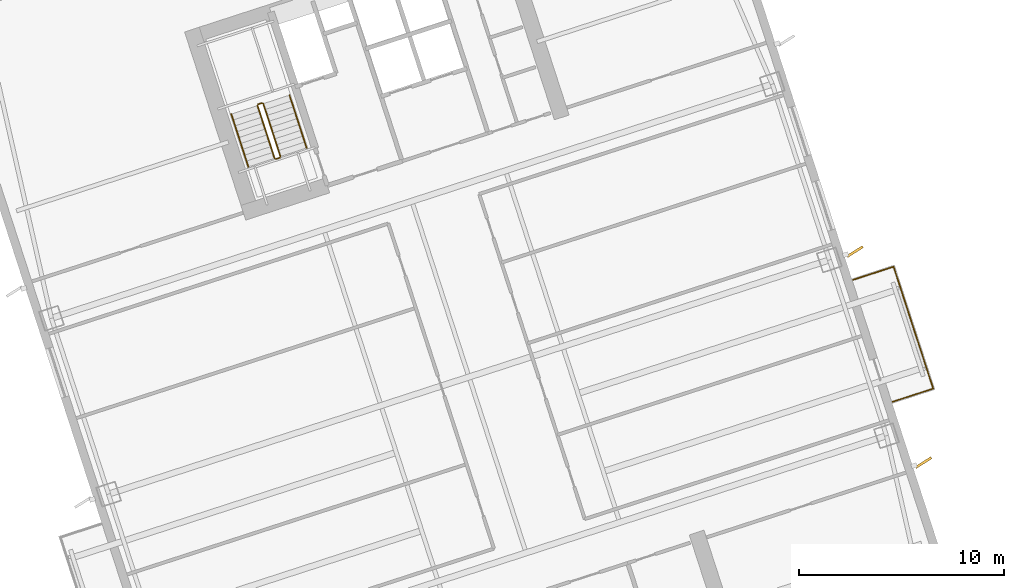
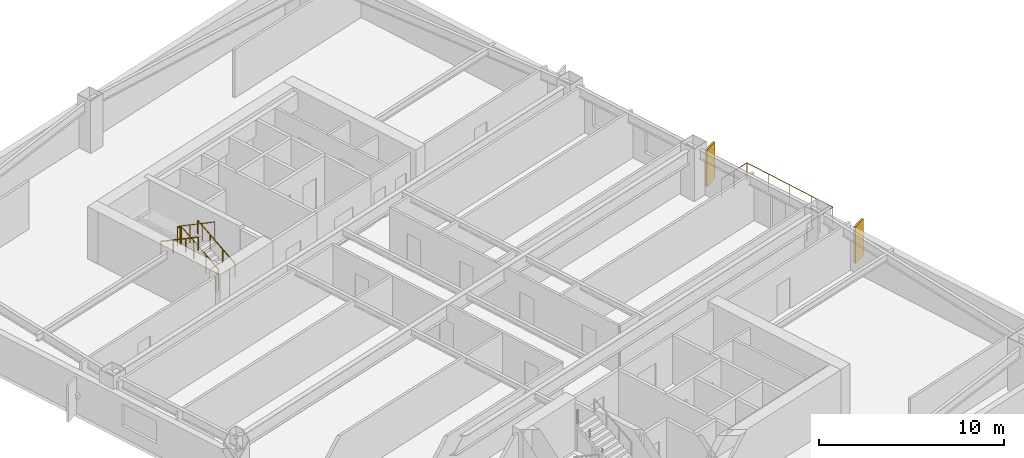
# One storey, part 17 of 18: 7 railings, 2 shading devices.
"""IFC4 building model written with IfcOpenShell, lengths in metres."""

from ifc_helpers import new_model, si_unit, direction, frame, origin, origin_2d, place, context, subcontext, project, spatial, rectangle, circle, extrude, material, layer, layer_set, type_object, element, save


model = new_model("IFC4")

# Units and contexts
model_context = context("Model", 3, precision=1e-05, world=origin(), true_north=direction((0.0, 1.0)))
body_context = subcontext(model_context, "Body", "Model", "MODEL_VIEW")
ifc_project = project(units=[si_unit("LENGTHUNIT", "METRE"), si_unit("AREAUNIT", "SQUARE_METRE"), si_unit("VOLUMEUNIT", "CUBIC_METRE"), si_unit("PLANEANGLEUNIT", "RADIAN"), si_unit("MASSUNIT", "GRAM", prefix="KILO")], contexts=[model_context])

# Site, building, storey
site_placement = place(None, origin())
site = spatial("IfcSite", under=ifc_project, at=site_placement, CompositionType="ELEMENT")
building_placement = place(site_placement, origin())
building = spatial("IfcBuilding", under=site, at=building_placement, Name="Qiaolan Cultural Towers", CompositionType="ELEMENT")
storey_placement = place(building_placement, frame((0.0, 0.0, 67.85009765625)))
storey = spatial("IfcBuildingStorey", under=building, at=storey_placement, Name="L16", CompositionType="ELEMENT", Elevation=67.85009765625)

# Railings
ifc_material_1 = material(Name="Laminated SentryGlas & Stainless Steel S31608 Balustrade", Category="steel")
railing_type_1 = type_object("IfcRailingType", Name="GRD-TERR-1200", PredefinedType="BALUSTRADE", material=ifc_material_1)
railing_1_placement = place(storey_placement, frame((110.631591796875, 32.796630859375, 0.0)))
element("IfcRailing", 1, at=railing_1_placement, inside=storey, type_object=railing_type_1, Name="L16 T2 Tree Balcony Guardrail E", PredefinedType="BALUSTRADE", context=body_context, shape_type="SweptSolid", body=[
    extrude(circle(Radius=0.02392578125, at=origin_2d()), frame((0.0, 0.0, 1.17578125), z_axis=(0.951061799618, 0.309000733507, 0.0), x_axis=(-0.309000733507, 0.951061799618, 0.0)), (0.0, 0.0, 1.0), 2.070068359375),
    extrude(circle(Radius=0.02392578125, at=origin_2d()), frame((1.96875, 0.6396484375, 1.17578125), z_axis=(-0.30901175762, 0.951058217804, 0.0), x_axis=(-0.951058217804, -0.30901175762, 0.0)), (0.0, 0.0, 1.0), 6.239990234375),
    extrude(circle(Radius=0.02392578125, at=origin_2d()), frame((0.04052734375, 6.57421875, 1.17578125), z_axis=(-0.951061799618, -0.309000733507, 0.0), x_axis=(0.309000733507, -0.951061799618, 0.0)), (0.0, 0.0, 1.0), 2.070068359375),
    extrude(circle(Radius=0.02099609375, at=origin_2d()), origin(), (0.0, 0.0, 1.0), 1.15185546875),
    extrude(circle(Radius=0.02099609375, at=origin_2d()), frame((0.984375, 0.31982421875, 0.0)), (0.0, 0.0, 1.0), 1.15185546875),
    extrude(circle(Radius=0.02099609375, at=origin_2d()), frame((1.96875, 0.6396484375, 0.0)), (0.0, 0.0, 1.0), 1.15185546875),
    extrude(circle(Radius=0.02099609375, at=origin_2d()), frame((1.48681640625, 2.123291015625, 0.0)), (0.0, 0.0, 1.0), 1.15185546875),
    extrude(circle(Radius=0.02099609375, at=origin_2d()), frame((1.004638671875, 3.60693359375, 0.0)), (0.0, 0.0, 1.0), 1.15185546875),
    extrude(circle(Radius=0.02099609375, at=origin_2d()), frame((0.5224609375, 5.090576171875, 0.0)), (0.0, 0.0, 1.0), 1.15185546875),
    extrude(circle(Radius=0.02099609375, at=origin_2d()), frame((0.04052734375, 6.57421875, 0.0)), (0.0, 0.0, 1.0), 1.15185546875),
    extrude(circle(Radius=0.02099609375, at=origin_2d()), frame((-0.94384765625, 6.25439453125, 0.0)), (0.0, 0.0, 1.0), 1.15185546875),
    extrude(circle(Radius=0.02099609375, at=origin_2d()), frame((-1.92822265625, 5.9345703125, 0.0)), (0.0, 0.0, 1.0), 1.15185546875),
])
ifc_material_2 = material(Name="Galvanized Painted Steel Stair Guardrail", Category="steel")
railing_type_2 = type_object("IfcRailingType", Name="RL-STAIR-GRD", PredefinedType="GUARDRAIL", material=ifc_material_2)
railing_2_placement = place(storey_placement, frame((80.822021484375, 44.739501953125, 0.17236328125)))
element("IfcRailing", 2, at=railing_2_placement, inside=storey, type_object=railing_type_2, Name="L16 ST-E2 stair guard 1", PredefinedType="GUARDRAIL", context=body_context, shape_type="SweptSolid", body=[
    extrude(circle(Radius=0.02392578125, at=origin_2d()), frame((0.0, 0.0, 1.17578125), z_axis=(-0.26785290645, 0.824488402118, 0.498471358535), x_axis=(-0.951069945308, -0.308975661068, 0.0)), (0.0, 0.0, 1.0), 3.114501953125),
    extrude(circle(Radius=0.02099609375, at=origin_2d()), origin(), (0.0, 0.0, 1.0), 1.15185546875),
    extrude(circle(Radius=0.02099609375, at=origin_2d()), frame((-0.278076171875, 0.85595703125, 0.517578125)), (0.0, 0.0, 1.0), 1.15185546875),
    extrude(circle(Radius=0.02099609375, at=origin_2d()), frame((-0.55615234375, 1.7119140625, 1.034912109375)), (0.0, 0.0, 1.0), 1.15185546875),
    extrude(circle(Radius=0.02099609375, at=origin_2d()), frame((-0.834228515625, 2.56787109375, 1.552490234375)), (0.0, 0.0, 1.0), 1.15185546875),
])
railing_3_placement = place(storey_placement, frame((79.9248046875, 47.33935546875, 1.724853515625)))
element("IfcRailing", 3, at=railing_3_placement, inside=storey, type_object=railing_type_2, Name="L16 ST-E2 stair guard 2", PredefinedType="GUARDRAIL", context=body_context, shape_type="SweptSolid", body=[
    extrude(circle(Radius=0.02392578125, at=origin_2d()), frame((0.0, 0.0, 1.17578125), z_axis=(-0.951096855055, -0.308892816854, 0.0), x_axis=(0.308892816854, -0.951096855055, 0.0)), (0.0, 0.0, 1.0), 0.199951171875),
    extrude(circle(Radius=0.02099609375, at=origin_2d()), origin(), (0.0, 0.0, 1.0), 1.15185546875),
    extrude(circle(Radius=0.02099609375, at=origin_2d()), frame((-0.190185546875, -0.061767578125, 0.0)), (0.0, 0.0, 1.0), 1.15185546875),
])
railing_4_placement = place(storey_placement, frame((79.702392578125, 47.214599609375, 1.8974609375)))
element("IfcRailing", 4, at=railing_4_placement, inside=storey, type_object=railing_type_2, Name="L16 ST-E2 stair guard 3", PredefinedType="GUARDRAIL", context=body_context, shape_type="SweptSolid", body=[
    extrude(circle(Radius=0.02392578125, at=origin_2d()), frame((0.0, 0.0, 1.17578125), z_axis=(0.267925668498, -0.824471088726, 0.498460891159), x_axis=(0.951043371037, 0.309057448393, 0.0)), (0.0, 0.0, 1.0), 3.114501953125),
    extrude(circle(Radius=0.02099609375, at=origin_2d()), origin(), (0.0, 0.0, 1.0), 1.15185546875),
    extrude(circle(Radius=0.02099609375, at=origin_2d()), frame((0.278076171875, -0.85595703125, 0.517578125)), (0.0, 0.0, 1.0), 1.15185546875),
    extrude(circle(Radius=0.02099609375, at=origin_2d()), frame((0.556396484375, -1.7119140625, 1.034912109375)), (0.0, 0.0, 1.0), 1.15185546875),
    extrude(circle(Radius=0.02099609375, at=origin_2d()), frame((0.83447265625, -2.56787109375, 1.552490234375)), (0.0, 0.0, 1.0), 1.15185546875),
])
railing_5_placement = place(storey_placement, frame((80.7900390625, 44.676513671875, 0.0)))
element("IfcRailing", 5, at=railing_5_placement, inside=storey, type_object=railing_type_2, Name="L16 ST-E2 stair guard 4", PredefinedType="GUARDRAIL", context=body_context, shape_type="SweptSolid", body=[
    extrude(circle(Radius=0.02392578125, at=origin_2d()), frame((0.0, 0.0, 1.17578125), z_axis=(-0.951096855055, -0.308892816854, 0.0), x_axis=(0.308892816854, -0.951096855055, 0.0)), (0.0, 0.0, 1.0), 0.199951171875),
    extrude(circle(Radius=0.02099609375, at=origin_2d()), origin(), (0.0, 0.0, 1.0), 1.15185546875),
    extrude(circle(Radius=0.02099609375, at=origin_2d()), frame((-0.190185546875, -0.061767578125, 0.0)), (0.0, 0.0, 1.0), 1.15185546875),
])
ifc_material_3 = material(Name="Stainless Steel S30408 Tubular Handrail", Category="steel")
railing_type_3 = type_object("IfcRailingType", Name="RL-STAIR-HR", PredefinedType="HANDRAIL", material=ifc_material_3)
railing_6_placement = place(storey_placement, frame((82.096435546875, 45.153564453125, 0.17236328125)))
element("IfcRailing", 6, at=railing_6_placement, inside=storey, type_object=railing_type_3, Name="L16 ST-E2 stair handrail 1", PredefinedType="HANDRAIL", context=body_context, shape_type="SweptSolid", body=[
    extrude(circle(Radius=0.02392578125, at=origin_2d()), frame((0.0, 0.0, 0.8759765625), z_axis=(-0.26785290645, 0.824488402118, 0.498471358535), x_axis=(-0.951069945308, -0.308975661068, 0.0)), (0.0, 0.0, 1.0), 3.114501953125),
    extrude(circle(Radius=0.02099609375, at=origin_2d()), origin(), (0.0, 0.0, 1.0), 0.851806640625),
    extrude(circle(Radius=0.02099609375, at=origin_2d()), frame((-0.278076171875, 0.85595703125, 0.517578125)), (0.0, 0.0, 1.0), 0.851806640625),
    extrude(circle(Radius=0.02099609375, at=origin_2d()), frame((-0.55615234375, 1.7119140625, 1.034912109375)), (0.0, 0.0, 1.0), 0.851806640625),
    extrude(circle(Radius=0.02099609375, at=origin_2d()), frame((-0.834228515625, 2.56787109375, 1.552490234375)), (0.0, 0.0, 1.0), 0.851806640625),
])
railing_7_placement = place(storey_placement, frame((78.427978515625, 46.800537109375, 1.8974609375)))
element("IfcRailing", 7, at=railing_7_placement, inside=storey, type_object=railing_type_3, Name="L16 ST-E2 stair handrail 2", PredefinedType="HANDRAIL", context=body_context, shape_type="SweptSolid", body=[
    extrude(circle(Radius=0.02392578125, at=origin_2d()), frame((0.0, 0.0, 0.8759765625), z_axis=(0.267925668498, -0.824471088726, 0.498460891159), x_axis=(0.951043371037, 0.309057448393, 0.0)), (0.0, 0.0, 1.0), 3.114501953125),
    extrude(circle(Radius=0.02099609375, at=origin_2d()), origin(), (0.0, 0.0, 1.0), 0.851806640625),
    extrude(circle(Radius=0.02099609375, at=origin_2d()), frame((0.278076171875, -0.85595703125, 0.517578125)), (0.0, 0.0, 1.0), 0.851806640625),
    extrude(circle(Radius=0.02099609375, at=origin_2d()), frame((0.556396484375, -1.7119140625, 1.034912109375)), (0.0, 0.0, 1.0), 0.851806640625),
    extrude(circle(Radius=0.02099609375, at=origin_2d()), frame((0.83447265625, -2.56787109375, 1.552490234375)), (0.0, 0.0, 1.0), 0.851806640625),
])

# Shading devices
ifc_material_4 = material(Name="Dark Basalt Honed Precast Terracotta Fin", Category="masonry")
ifc_layer = layer(ifc_material_4, 0.1201171875)
ifc_layer_set = layer_set([ifc_layer], Name="Dark Basalt Honed Precast Terracotta Fin")
shading_device_type = type_object("IfcShadingDeviceType", Name="SHD-FIN-DARK", PredefinedType="USERDEFINED", material=ifc_layer_set)
for number, where, z_axis, x_axis, name in (
    (8, (112.13037109375, 29.834716796875, 0.10009765625), (0.0, 0.0, 1.0), (0.847164684072, 0.531330403855, 0.0), "L16 T2 Expressive Precast Vertical Fin E1"),
    (9, (108.79296875, 40.106201171875, 0.10009765625), (0.0, 0.0, 1.0), (0.847164684072, 0.531330403855, 0.0), "L16 T2 Expressive Precast Vertical Fin E2"),
):
    element("IfcShadingDevice", number, at=place(storey_placement, frame(where, z_axis=z_axis, x_axis=x_axis)), inside=storey, type_object=shading_device_type, Name=name, ObjectType="FIN", PredefinedType="USERDEFINED", context=body_context, shape_type="SweptSolid", body=[
        extrude(rectangle(XDim=0.89990234375, YDim=0.1201171875, at=origin_2d()), origin(), (0.0, 0.0, 1.0), 2.409912109375),
    ])

save(model, "model.ifc")
